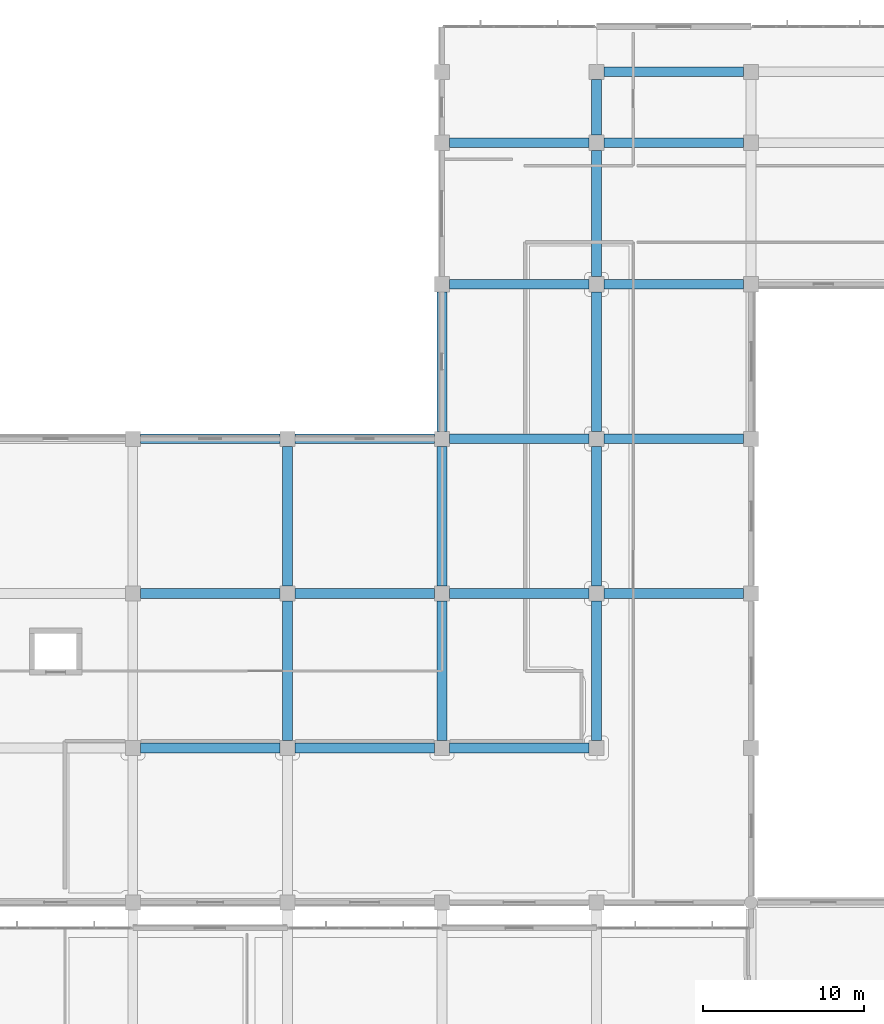
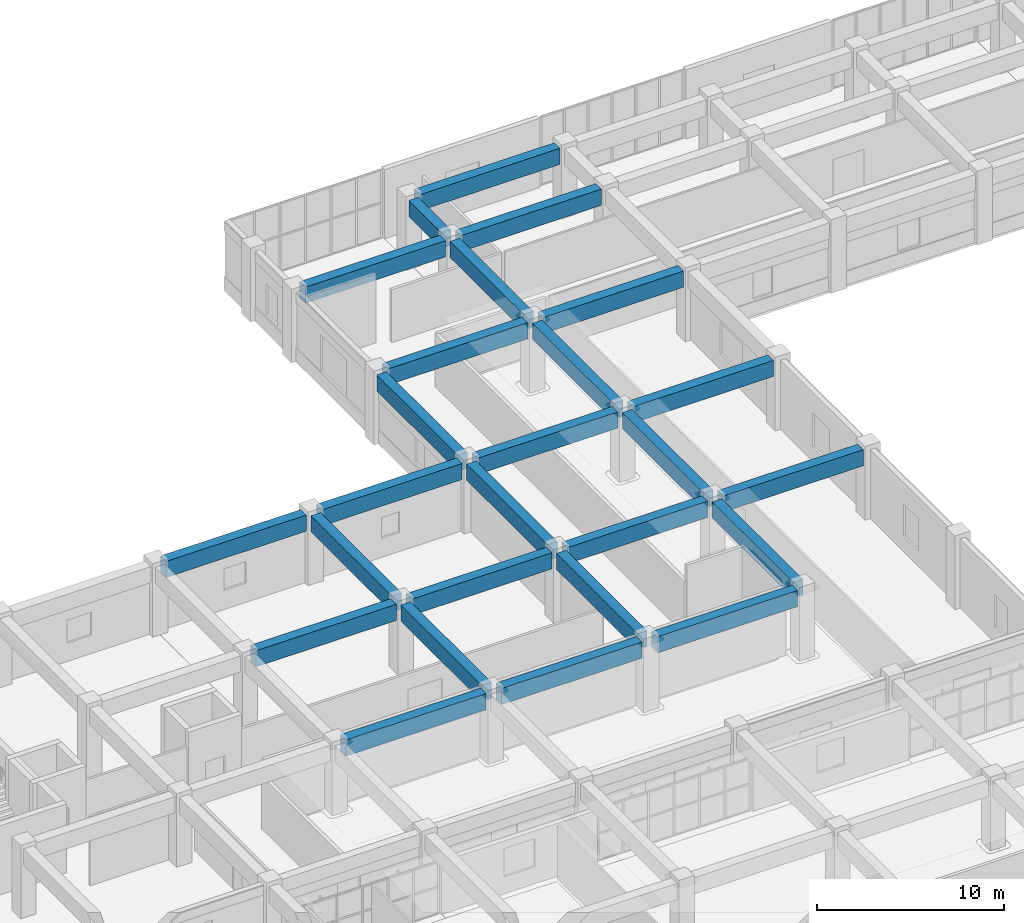
# One storey, part 28 of 86: 26 beams.
"""IFC4 building model written with IfcOpenShell, lengths in metres."""

from ifc_helpers import new_model, si_unit, direction, frame, origin, origin_2d, place, context, subcontext, project, spatial, rectangle, extrude, material, material_profile, profile_set, type_object, element, save


model = new_model("IFC4")

# Units and contexts
model_context = context("Model", 3, precision=1e-05, world=origin(), true_north=direction((0.0, 1.0)))
body_context = subcontext(model_context, "Body", "Model", "MODEL_VIEW")
ifc_project = project(units=[si_unit("LENGTHUNIT", "METRE"), si_unit("AREAUNIT", "SQUARE_METRE"), si_unit("VOLUMEUNIT", "CUBIC_METRE"), si_unit("PLANEANGLEUNIT", "RADIAN"), si_unit("MASSUNIT", "GRAM", prefix="KILO")], contexts=[model_context])

# Site, building, storey
site_placement = place(None, origin())
site = spatial("IfcSite", under=ifc_project, at=site_placement, CompositionType="ELEMENT")
building_placement = place(site_placement, origin())
building = spatial("IfcBuilding", under=site, at=building_placement, Name="Cendralis Terraced Arcade", CompositionType="ELEMENT")
storey_placement = place(building_placement, frame((0.0, 0.0, 5.39990234375)))
storey = spatial("IfcBuildingStorey", under=building, at=storey_placement, Name="L01", CompositionType="ELEMENT", Elevation=5.39990234375)

# Beams
ifc_material = material(Name="Concrete f'c 35 MPa", Category="concrete")
ifc_material_profile = material_profile(ifc_material, rectangle(XDim=0.60009765625, YDim=1.050048828125, at=origin_2d()), Name="RC-BM-600x1050", Category="LoadBearing")
ifc_profile_set = profile_set([ifc_material_profile], Name="Concrete f'c 35 MPa")
beam_type = type_object("IfcBeamType", Name="BM-600x1050", PredefinedType="JOIST", material=ifc_profile_set)
beam_1_placement = place(storey_placement, frame((29.27490234375, 69.60009765625, 3.97998046875), z_axis=(1.0, 0.0, 0.0), x_axis=(0.0, 1.0, 0.0)))
element("IfcBeam", 1, at=beam_1_placement, inside=storey, type_object=beam_type, Name="Reinforced Concrete Frame Beam BM-X-L02-H-4_5", PredefinedType="JOIST", context=body_context, shape_type="SweptSolid", body=[
    extrude(rectangle(XDim=0.60009765625, YDim=1.050048828125, at=origin_2d()), origin(), (0.0, 0.0, 1.0), 8.650146484375),
])
for number, where, z_axis, x_axis, name in (
    (2, (38.875, 69.60009765625, 3.97998046875), (1.0, 0.0, 0.0), (0.0, 1.0, 0.0), "Reinforced Concrete Frame Beam BM-X-L02-H-5_6"),
    (3, (48.47509765625, 69.60009765625, 3.97998046875), (1.0, 0.0, 0.0), (0.0, 1.0, 0.0), "Reinforced Concrete Frame Beam BM-X-L02-H-6_7"),
):
    element("IfcBeam", number, at=place(storey_placement, frame(where, z_axis=z_axis, x_axis=x_axis)), inside=storey, type_object=beam_type, Name=name, PredefinedType="JOIST", context=body_context, shape_type="SweptSolid", body=[
        extrude(rectangle(XDim=0.60009765625, YDim=1.050048828125, at=origin_2d()), origin(), (0.0, 0.0, 1.0), 8.64990234375),
    ])
beam_2_placement = place(storey_placement, frame((29.27490234375, 79.199951171875, 3.97998046875), z_axis=(1.0, 0.0, 0.0), x_axis=(0.0, 1.0, 0.0)))
element("IfcBeam", 4, at=beam_2_placement, inside=storey, type_object=beam_type, Name="Reinforced Concrete Frame Beam BM-X-L02-J-4_5", PredefinedType="JOIST", context=body_context, shape_type="SweptSolid", body=[
    extrude(rectangle(XDim=0.60009765625, YDim=1.050048828125, at=origin_2d()), origin(), (0.0, 0.0, 1.0), 8.650146484375),
])
for number, where, z_axis, x_axis, name in (
    (5, (38.875, 79.199951171875, 3.97998046875), (1.0, 0.0, 0.0), (0.0, 1.0, 0.0), "Reinforced Concrete Frame Beam BM-X-L02-J-5_6"),
    (6, (48.47509765625, 79.199951171875, 3.97998046875), (1.0, 0.0, 0.0), (0.0, 1.0, 0.0), "Reinforced Concrete Frame Beam BM-X-L02-J-6_7"),
):
    element("IfcBeam", number, at=place(storey_placement, frame(where, z_axis=z_axis, x_axis=x_axis)), inside=storey, type_object=beam_type, Name=name, PredefinedType="JOIST", context=body_context, shape_type="SweptSolid", body=[
        extrude(rectangle(XDim=0.60009765625, YDim=1.050048828125, at=origin_2d()), origin(), (0.0, 0.0, 1.0), 8.64990234375),
    ])
for number, where, z_axis, x_axis, name in (
    (7, (58.074951171875, 79.199951171875, 3.97998046875), (1.0, 0.0, 0.0), (0.0, 1.0, 0.0), "Reinforced Concrete Frame Beam BM-X-L02-J-7_8"),
    (8, (29.27490234375, 88.800048828125, 3.97998046875), (1.0, 0.0, 0.0), (0.0, 1.0, 0.0), "Reinforced Concrete Frame Beam BM-X-L02-K-4_5"),
):
    element("IfcBeam", number, at=place(storey_placement, frame(where, z_axis=z_axis, x_axis=x_axis)), inside=storey, type_object=beam_type, Name=name, PredefinedType="JOIST", context=body_context, shape_type="SweptSolid", body=[
        extrude(rectangle(XDim=0.60009765625, YDim=1.050048828125, at=origin_2d()), origin(), (0.0, 0.0, 1.0), 8.650146484375),
    ])
for number, where, z_axis, x_axis, name in (
    (9, (38.875, 88.800048828125, 3.97998046875), (1.0, 0.0, 0.0), (0.0, 1.0, 0.0), "Reinforced Concrete Frame Beam BM-X-L02-K-5_6"),
    (10, (48.47509765625, 88.800048828125, 3.97998046875), (1.0, 0.0, 0.0), (0.0, 1.0, 0.0), "Reinforced Concrete Frame Beam BM-X-L02-K-6_7"),
):
    element("IfcBeam", number, at=place(storey_placement, frame(where, z_axis=z_axis, x_axis=x_axis)), inside=storey, type_object=beam_type, Name=name, PredefinedType="JOIST", context=body_context, shape_type="SweptSolid", body=[
        extrude(rectangle(XDim=0.60009765625, YDim=1.050048828125, at=origin_2d()), origin(), (0.0, 0.0, 1.0), 8.64990234375),
    ])
beam_3_placement = place(storey_placement, frame((58.074951171875, 88.800048828125, 3.97998046875), z_axis=(1.0, 0.0, 0.0), x_axis=(0.0, 1.0, 0.0)))
element("IfcBeam", 11, at=beam_3_placement, inside=storey, type_object=beam_type, Name="Reinforced Concrete Frame Beam BM-X-L02-K-7_8", PredefinedType="JOIST", context=body_context, shape_type="SweptSolid", body=[
    extrude(rectangle(XDim=0.60009765625, YDim=1.050048828125, at=origin_2d()), origin(), (0.0, 0.0, 1.0), 8.650146484375),
])
beam_4_placement = place(storey_placement, frame((48.47509765625, 98.39990234375, 3.97998046875), z_axis=(1.0, 0.0, 0.0), x_axis=(0.0, 1.0, 0.0)))
element("IfcBeam", 12, at=beam_4_placement, inside=storey, type_object=beam_type, Name="Reinforced Concrete Frame Beam BM-X-L02-L-6_7", PredefinedType="JOIST", context=body_context, shape_type="SweptSolid", body=[
    extrude(rectangle(XDim=0.60009765625, YDim=1.050048828125, at=origin_2d()), origin(), (0.0, 0.0, 1.0), 8.64990234375),
])
beam_5_placement = place(storey_placement, frame((58.074951171875, 98.39990234375, 3.97998046875), z_axis=(1.0, 0.0, 0.0), x_axis=(0.0, 1.0, 0.0)))
element("IfcBeam", 13, at=beam_5_placement, inside=storey, type_object=beam_type, Name="Reinforced Concrete Frame Beam BM-X-L02-L-7_8", PredefinedType="JOIST", context=body_context, shape_type="SweptSolid", body=[
    extrude(rectangle(XDim=0.60009765625, YDim=1.050048828125, at=origin_2d()), origin(), (0.0, 0.0, 1.0), 8.650146484375),
])
beam_6_placement = place(storey_placement, frame((48.47509765625, 107.199951171875, 3.97998046875), z_axis=(1.0, 0.0, 0.0), x_axis=(0.0, 1.0, 0.0)))
element("IfcBeam", 14, at=beam_6_placement, inside=storey, type_object=beam_type, Name="Reinforced Concrete Frame Beam BM-X-L02-M-6_7", PredefinedType="JOIST", context=body_context, shape_type="SweptSolid", body=[
    extrude(rectangle(XDim=0.60009765625, YDim=1.050048828125, at=origin_2d()), origin(), (0.0, 0.0, 1.0), 8.64990234375),
])
for number, where, z_axis, x_axis, name in (
    (15, (58.074951171875, 107.199951171875, 3.97998046875), (1.0, 0.0, 0.0), (0.0, 1.0, 0.0), "Reinforced Concrete Frame Beam BM-X-L02-M-7_8"),
    (16, (58.074951171875, 111.60009765625, 3.97998046875), (1.0, 0.0, 0.0), (0.0, 1.0, 0.0), "Reinforced Concrete Frame Beam BM-X-L02-N-7_8"),
    (17, (38.39990234375, 70.074951171875, 3.97998046875), (0.0, 1.0, 0.0), (-1.0, 0.0, 0.0), "Reinforced Concrete Frame Beam BM-Y-L02-5-H_J"),
):
    element("IfcBeam", number, at=place(storey_placement, frame(where, z_axis=z_axis, x_axis=x_axis)), inside=storey, type_object=beam_type, Name=name, PredefinedType="JOIST", context=body_context, shape_type="SweptSolid", body=[
        extrude(rectangle(XDim=0.60009765625, YDim=1.050048828125, at=origin_2d()), origin(), (0.0, 0.0, 1.0), 8.650146484375),
    ])
beam_7_placement = place(storey_placement, frame((38.39990234375, 79.675048828125, 3.97998046875), z_axis=(0.0, 1.0, 0.0), x_axis=(-1.0, 0.0, 0.0)))
element("IfcBeam", 18, at=beam_7_placement, inside=storey, type_object=beam_type, Name="Reinforced Concrete Frame Beam BM-Y-L02-5-J_K", PredefinedType="JOIST", context=body_context, shape_type="SweptSolid", body=[
    extrude(rectangle(XDim=0.60009765625, YDim=1.050048828125, at=origin_2d()), origin(), (0.0, 0.0, 1.0), 8.64990234375),
])
beam_8_placement = place(storey_placement, frame((48.0, 70.074951171875, 3.97998046875), z_axis=(0.0, 1.0, 0.0), x_axis=(-1.0, 0.0, 0.0)))
element("IfcBeam", 19, at=beam_8_placement, inside=storey, type_object=beam_type, Name="Reinforced Concrete Frame Beam BM-Y-L02-6-H_J", PredefinedType="JOIST", context=body_context, shape_type="SweptSolid", body=[
    extrude(rectangle(XDim=0.60009765625, YDim=1.050048828125, at=origin_2d()), origin(), (0.0, 0.0, 1.0), 8.650146484375),
])
beam_9_placement = place(storey_placement, frame((48.0, 79.675048828125, 3.97998046875), z_axis=(0.0, 1.0, 0.0), x_axis=(-1.0, 0.0, 0.0)))
element("IfcBeam", 20, at=beam_9_placement, inside=storey, type_object=beam_type, Name="Reinforced Concrete Frame Beam BM-Y-L02-6-J_K", PredefinedType="JOIST", context=body_context, shape_type="SweptSolid", body=[
    extrude(rectangle(XDim=0.60009765625, YDim=1.050048828125, at=origin_2d()), origin(), (0.0, 0.0, 1.0), 8.64990234375),
])
for number, where, z_axis, x_axis, name in (
    (21, (48.0, 89.27490234375, 3.97998046875), (0.0, 1.0, 0.0), (-1.0, 0.0, 0.0), "Reinforced Concrete Frame Beam BM-Y-L02-6-K_L"),
    (22, (57.60009765625, 70.074951171875, 3.97998046875), (0.0, 1.0, 0.0), (-1.0, 0.0, 0.0), "Reinforced Concrete Frame Beam BM-Y-L02-7-H_J"),
):
    element("IfcBeam", number, at=place(storey_placement, frame(where, z_axis=z_axis, x_axis=x_axis)), inside=storey, type_object=beam_type, Name=name, PredefinedType="JOIST", context=body_context, shape_type="SweptSolid", body=[
        extrude(rectangle(XDim=0.60009765625, YDim=1.050048828125, at=origin_2d()), origin(), (0.0, 0.0, 1.0), 8.650146484375),
    ])
beam_10_placement = place(storey_placement, frame((57.60009765625, 79.675048828125, 3.97998046875), z_axis=(0.0, 1.0, 0.0), x_axis=(-1.0, 0.0, 0.0)))
element("IfcBeam", 23, at=beam_10_placement, inside=storey, type_object=beam_type, Name="Reinforced Concrete Frame Beam BM-Y-L02-7-J_K", PredefinedType="JOIST", context=body_context, shape_type="SweptSolid", body=[
    extrude(rectangle(XDim=0.60009765625, YDim=1.050048828125, at=origin_2d()), origin(), (0.0, 0.0, 1.0), 8.64990234375),
])
beam_11_placement = place(storey_placement, frame((57.60009765625, 89.27490234375, 3.97998046875), z_axis=(0.0, 1.0, 0.0), x_axis=(-1.0, 0.0, 0.0)))
element("IfcBeam", 24, at=beam_11_placement, inside=storey, type_object=beam_type, Name="Reinforced Concrete Frame Beam BM-Y-L02-7-K_L", PredefinedType="JOIST", context=body_context, shape_type="SweptSolid", body=[
    extrude(rectangle(XDim=0.60009765625, YDim=1.050048828125, at=origin_2d()), origin(), (0.0, 0.0, 1.0), 8.650146484375),
])
beam_12_placement = place(storey_placement, frame((57.60009765625, 98.875, 3.97998046875), z_axis=(0.0, 1.0, 0.0), x_axis=(-1.0, 0.0, 0.0)))
element("IfcBeam", 25, at=beam_12_placement, inside=storey, type_object=beam_type, Name="Reinforced Concrete Frame Beam BM-Y-L02-7-L_M", PredefinedType="JOIST", context=body_context, shape_type="SweptSolid", body=[
    extrude(rectangle(XDim=0.60009765625, YDim=1.050048828125, at=origin_2d()), origin(), (0.0, 0.0, 1.0), 7.85009765625),
])
beam_13_placement = place(storey_placement, frame((57.60009765625, 107.675048828125, 3.97998046875), z_axis=(0.0, 1.0, 0.0), x_axis=(-1.0, 0.0, 0.0)))
element("IfcBeam", 26, at=beam_13_placement, inside=storey, type_object=beam_type, Name="Reinforced Concrete Frame Beam BM-Y-L02-7-M_N", PredefinedType="JOIST", context=body_context, shape_type="SweptSolid", body=[
    extrude(rectangle(XDim=0.60009765625, YDim=1.050048828125, at=origin_2d()), origin(), (0.0, 0.0, 1.0), 3.449951171875),
])

save(model, "model.ifc")
